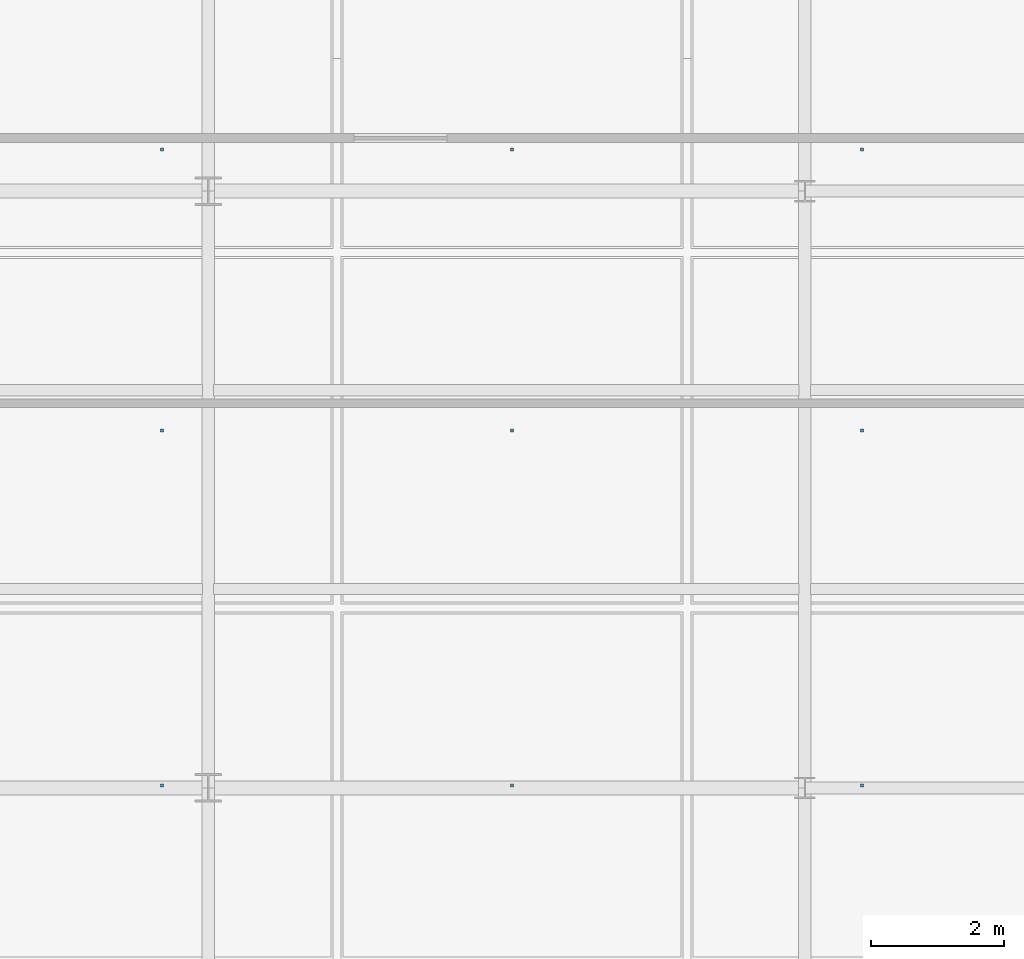
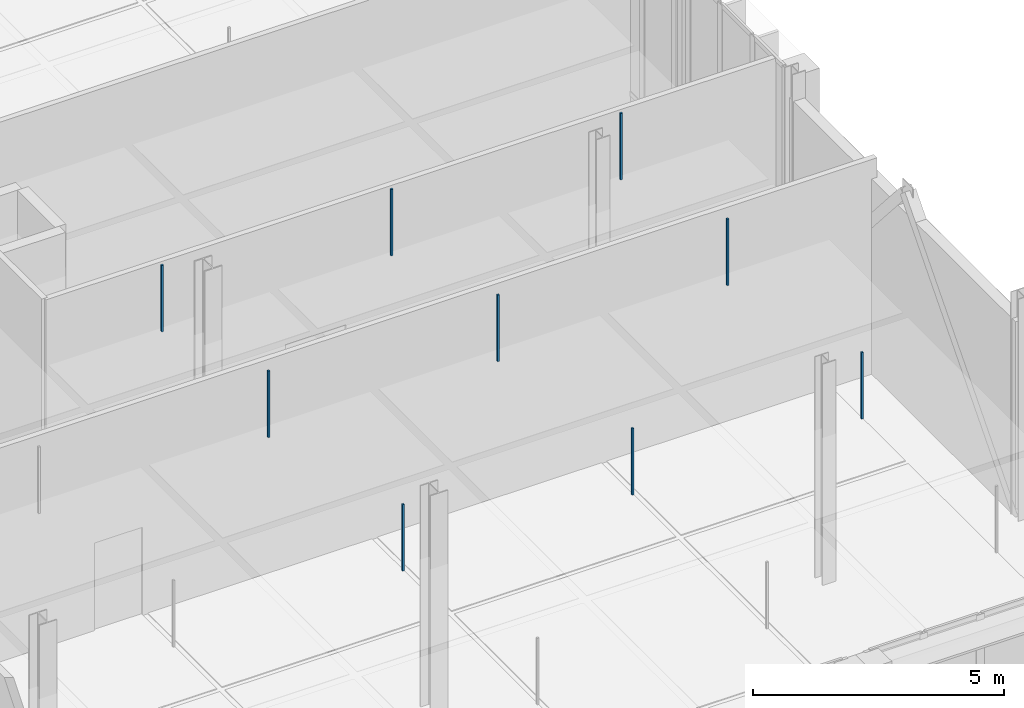
# One storey, part 158 of 180: 9 discrete accessories.
"""IFC4 building model written with IfcOpenShell, lengths in metres."""

from ifc_helpers import new_model, si_unit, direction, frame, origin, origin_2d, place, context, subcontext, project, spatial, rectangle, extrude, material, type_object, element, save


model = new_model("IFC4")

# Units and contexts
model_context = context("Model", 3, precision=1e-05, world=origin(), true_north=direction((0.0, 1.0)))
body_context = subcontext(model_context, "Body", "Model", "MODEL_VIEW")
ifc_project = project(units=[si_unit("LENGTHUNIT", "METRE"), si_unit("AREAUNIT", "SQUARE_METRE"), si_unit("VOLUMEUNIT", "CUBIC_METRE"), si_unit("PLANEANGLEUNIT", "RADIAN"), si_unit("MASSUNIT", "GRAM", prefix="KILO"), si_unit("THERMODYNAMICTEMPERATUREUNIT", "KELVIN"), si_unit("POWERUNIT", "WATT")], contexts=[model_context])

# Site, building, storey
site_placement = place(None, origin())
site = spatial("IfcSite", under=ifc_project, at=site_placement, CompositionType="ELEMENT")
building_placement = place(site_placement, origin())
building = spatial("IfcBuilding", under=site, at=building_placement, Name="Tallowbark Science Centre", CompositionType="ELEMENT")
storey_placement = place(building_placement, origin())
storey = spatial("IfcBuildingStorey", under=building, at=storey_placement, Name="L00", CompositionType="ELEMENT", Elevation=0.0)

# Discrete accessories
ifc_material = material(Name="Galvanised Steel Grade C350L0 (350 MPa)", Category="steel")
discrete_accessory_type = type_object("IfcDiscreteAccessoryType", Name="ACC-CLG-HNG", PredefinedType="BRACKET", material=ifc_material)
for number, where, z_axis, x_axis, name in (
    (1, (147.8056640625, 81.03564453125, 3.60595703125), (0.0, 0.0, 1.0), (1.0, 0.0, 0.0), "Ceiling Hanger Bracket L00-445"),
    (2, (147.8056640625, 86.392822265625, 3.60595703125), (0.0, 0.0, 1.0), (1.0, 0.0, 0.0), "Ceiling Hanger Bracket L00-446"),
    (3, (147.8056640625, 90.630615234375, 3.60595703125), (0.0, 0.0, 1.0), (1.0, 0.0, 0.0), "Ceiling Hanger Bracket L00-447"),
    (4, (153.083251953125, 81.03564453125, 3.60595703125), (0.0, 0.0, 1.0), (1.0, 0.0, 0.0), "Ceiling Hanger Bracket L00-452"),
    (5, (153.083251953125, 86.392822265625, 3.60595703125), (0.0, 0.0, 1.0), (1.0, 0.0, 0.0), "Ceiling Hanger Bracket L00-453"),
    (6, (153.083251953125, 90.630615234375, 3.60595703125), (0.0, 0.0, 1.0), (1.0, 0.0, 0.0), "Ceiling Hanger Bracket L00-454"),
    (7, (158.361083984375, 81.03564453125, 3.60595703125), (0.0, 0.0, 1.0), (1.0, 0.0, 0.0), "Ceiling Hanger Bracket L00-459"),
    (8, (158.361083984375, 86.392822265625, 3.60595703125), (0.0, 0.0, 1.0), (1.0, 0.0, 0.0), "Ceiling Hanger Bracket L00-460"),
    (9, (158.361083984375, 90.630615234375, 3.60595703125), (0.0, 0.0, 1.0), (1.0, 0.0, 0.0), "Ceiling Hanger Bracket L00-461"),
):
    element("IfcDiscreteAccessory", number, at=place(storey_placement, frame(where, z_axis=z_axis, x_axis=x_axis)), inside=storey, type_object=discrete_accessory_type, Name=name, PredefinedType="BRACKET", context=body_context, shape_type="SweptSolid", body=[
        extrude(rectangle(XDim=0.044921875, YDim=0.044921875, at=origin_2d()), origin(), (0.0, 0.0, 1.0), 1.616943359375),
    ])

save(model, "model.ifc")
